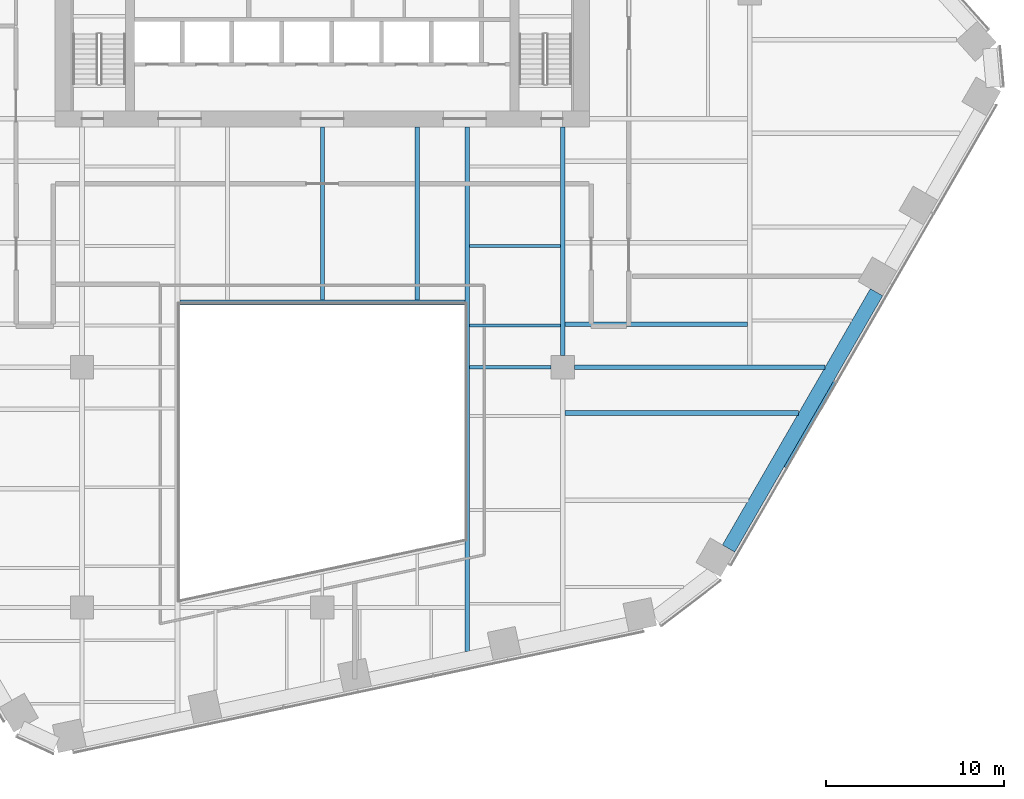
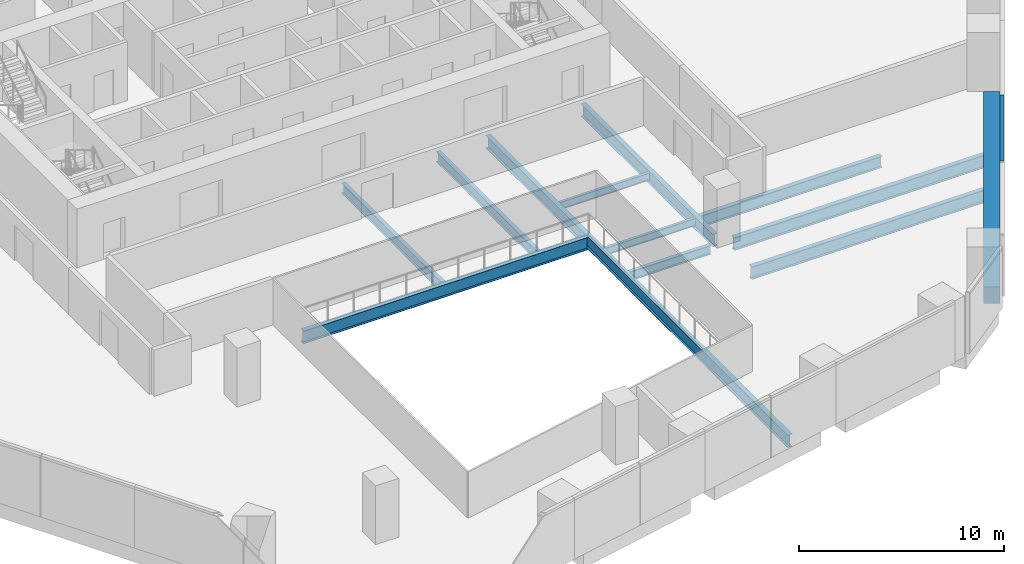
# One storey, part 6 of 19: 12 beams, 1 member, 1 element without a shape of its own.
"""IFC4 building model written with IfcOpenShell, lengths in metres."""

from ifc_helpers import new_model, si_unit, direction, frame, origin, origin_2d, place, context, subcontext, project, spatial, rectangle, i_section, extrude, material, layer, layer_set, material_profile, profile_set, type_object, element, aggregate, save


model = new_model("IFC4")

# Units and contexts
model_context = context("Model", 3, precision=1e-05, world=origin(), true_north=direction((0.0, 1.0)))
body_context = subcontext(model_context, "Body", "Model", "MODEL_VIEW")
ifc_project = project(units=[si_unit("LENGTHUNIT", "METRE"), si_unit("AREAUNIT", "SQUARE_METRE"), si_unit("VOLUMEUNIT", "CUBIC_METRE"), si_unit("PLANEANGLEUNIT", "RADIAN"), si_unit("MASSUNIT", "GRAM", prefix="KILO")], contexts=[model_context])

# Site, building, storey
site_placement = place(None, origin())
site = spatial("IfcSite", under=ifc_project, at=site_placement, CompositionType="ELEMENT")
building_placement = place(site_placement, origin())
building = spatial("IfcBuilding", under=site, at=building_placement, Name="Isthmus Gate Tower", CompositionType="ELEMENT")
storey_placement = place(building_placement, frame((0.0, 0.0, 91.60009765625)))
storey = spatial("IfcBuildingStorey", under=building, at=storey_placement, Name="L21", CompositionType="ELEMENT", Elevation=91.60009765625)

# Curtain wall, member
ifc_material_1 = material(Name="Aluminium, pale champagne anodised", Category="aluminium")
ifc_layer = layer(ifc_material_1, 0.199951171875)
ifc_layer_set = layer_set([ifc_layer], Name="CW-1 UNITISED CURTAIN WALL 200 DEEP")
curtain_wall_type = type_object("IfcCurtainWallType", Name="CW-1 UNITISED CURTAIN WALL 200 DEEP", PredefinedType="NOTDEFINED", material=ifc_layer_set)
curtain_wall_placement = place(storey_placement, origin())
curtain_wall = element("IfcCurtainWall", 1, at=curtain_wall_placement, inside=storey, type_object=curtain_wall_type, Name="CW-1 SE L21", PredefinedType="NOTDEFINED")
ifc_material_2 = material(Name="Aluminium, pale champagne anodised", Category="aluminium")
ifc_material_profile_1 = material_profile(ifc_material_2, rectangle(XDim=0.199951171875, YDim=0.14990234375, at=origin_2d()), Name="200x150")
ifc_profile_set_1 = profile_set([ifc_material_profile_1], Name="Aluminium, pale champagne anodised")
member_type = type_object("IfcMemberType", Name="CW-1 TRANSOM 200 X 150", PredefinedType="USERDEFINED", material=ifc_profile_set_1)
member_placement = place(storey_placement, frame((26.017822265625, -19.135986328125, 3.574951171875), z_axis=(0.499993363642, 0.866029235253, 0.0), x_axis=(-0.866029235253, 0.499993363642, 0.0)))
member = element("IfcMember", 2, at=member_placement, type_object=member_type, Name="CW-1 transom", ObjectType="TRANSOM", PredefinedType="USERDEFINED", context=body_context, shape_type="SweptSolid", body=[
    extrude(rectangle(XDim=0.199951171875, YDim=0.14990234375, at=origin_2d()), origin(), (0.0, 0.0, 1.0), 5.53857421875),
])
aggregate(curtain_wall, [member])

# Beams
ifc_material_3 = material(Name="Concrete f'c 70 MPa", Category="concrete")
ifc_material_profile_2 = material_profile(ifc_material_3, rectangle(XDim=0.800048828125, YDim=1.0, at=origin_2d()), Name="RC 800X1000")
ifc_profile_set_2 = profile_set([ifc_material_profile_2], Name="Concrete f'c 70 MPa")
beam_type_1 = type_object("IfcBeamType", Name="RC SPANDREL 800 X 1000", PredefinedType="SPANDREL", material=ifc_profile_set_2)
beam_1_placement = place(storey_placement, frame((31.123291015625, -9.292724609375, -0.5), z_axis=(-0.499999725976, -0.866025561992, 0.0), x_axis=(0.866025561992, -0.499999725976, 0.0)))
element("IfcBeam", 3, at=beam_1_placement, inside=storey, type_object=beam_type_1, Name="str-spandrel-L21-08", PredefinedType="SPANDREL", context=body_context, shape_type="SweptSolid", body=[
    extrude(rectangle(XDim=0.800048828125, YDim=1.0, at=origin_2d()), origin(), (0.0, 0.0, 1.0), 16.61572265625),
])
ifc_material_4 = material(Name="Structural steel ASTM A992 Gr 50", Category="steel")
ifc_material_profile_3 = material_profile(ifc_material_4, i_section(OverallWidth=0.15234375, OverallDepth=0.45068359375, WebThickness=0.0078125, FlangeThickness=0.010986328125, at=origin_2d()), Name="W18X35")
ifc_profile_set_3 = profile_set([ifc_material_profile_3], Name="Structural steel ASTM A992 Gr 50")
beam_type_2 = type_object("IfcBeamType", Name="STEEL FLOOR BEAM W18X35", PredefinedType="JOIST", material=ifc_profile_set_3)
for number, where, z_axis, x_axis, name in (
    (4, (8.263427734375, -11.16259765625, -0.37548828125), (1.0, 0.0, 0.0), (0.0, 1.0, 0.0), "str-beam-L21-24-00"),
    (5, (8.263427734375, -6.697509765625, -0.37548828125), (1.0, 0.0, 0.0), (0.0, 1.0, 0.0), "str-beam-L21-24-01"),
):
    element("IfcBeam", number, at=place(storey_placement, frame(where, z_axis=z_axis, x_axis=x_axis)), inside=storey, type_object=beam_type_2, Name=name, PredefinedType="JOIST", context=body_context, shape_type="SweptSolid", body=[
        extrude(i_section(OverallWidth=0.15234375, OverallDepth=0.45068359375, WebThickness=0.0078125, FlangeThickness=0.010986328125, at=origin_2d()), origin(), (0.0, 0.0, 1.0), 5.104736328125),
    ])
ifc_material_5 = material(Name="Structural steel ASTM A992 Gr 50", Category="steel")
ifc_material_profile_4 = material_profile(ifc_material_5, i_section(OverallWidth=0.228515625, OverallDepth=0.603271484375, WebThickness=0.010986328125, FlangeThickness=0.014404296875, at=origin_2d()), Name="W24X68")
ifc_profile_set_4 = profile_set([ifc_material_profile_4], Name="Structural steel ASTM A992 Gr 50")
beam_type_3 = type_object("IfcBeamType", Name="STEEL FLOOR BEAM W24X68", PredefinedType="JOIST", material=ifc_profile_set_4)
for number, where, z_axis, x_axis, name in (
    (6, (0.0, -9.7333984375, -0.45166015625), (0.0, 1.0, 0.0), (-1.0, 0.0, 0.0), "str-beam-L21-17-01"),
    (7, (5.333251953125, -9.7333984375, -0.45166015625), (0.0, 1.0, 0.0), (-1.0, 0.0, 0.0), "str-beam-L21-17-02"),
):
    element("IfcBeam", number, at=place(storey_placement, frame(where, z_axis=z_axis, x_axis=x_axis)), inside=storey, type_object=beam_type_3, Name=name, PredefinedType="JOIST", context=body_context, shape_type="SweptSolid", body=[
        extrude(i_section(OverallWidth=0.228515625, OverallDepth=0.603271484375, WebThickness=0.010986328125, FlangeThickness=0.014404296875, at=origin_2d()), origin(), (0.0, 0.0, 1.0), 9.7333984375),
    ])
ifc_material_6 = material(Name="Structural steel ASTM A992 Gr 50", Category="steel")
ifc_material_profile_5 = material_profile(ifc_material_6, i_section(OverallWidth=0.25390625, OverallDepth=0.679443359375, WebThickness=0.010986328125, FlangeThickness=0.015869140625, at=origin_2d()), Name="W27X84")
ifc_profile_set_5 = profile_set([ifc_material_profile_5], Name="Structural steel ASTM A992 Gr 50")
beam_type_4 = type_object("IfcBeamType", Name="STEEL FLOOR BEAM W27X84", PredefinedType="JOIST", material=ifc_profile_set_5)
beam_2_placement = place(storey_placement, frame((13.6318359375, -11.0830078125, -0.48974609375), z_axis=(1.0, 0.0, 0.0), x_axis=(0.0, 1.0, 0.0)))
element("IfcBeam", 8, at=beam_2_placement, inside=storey, type_object=beam_type_4, Name="str-beam-L21-27-00", PredefinedType="JOIST", context=body_context, shape_type="SweptSolid", body=[
    extrude(i_section(OverallWidth=0.25390625, OverallDepth=0.679443359375, WebThickness=0.010986328125, FlangeThickness=0.015869140625, at=origin_2d()), origin(), (0.0, 0.0, 1.0), 10.23486328125),
])
ifc_material_7 = material(Name="Structural steel ASTM A992 Gr 50", Category="steel")
ifc_material_profile_6 = material_profile(ifc_material_7, i_section(OverallWidth=0.263427734375, OverallDepth=0.749267578125, WebThickness=0.0126953125, FlangeThickness=0.015869140625, at=origin_2d()), Name="W30X90")
ifc_profile_set_6 = profile_set([ifc_material_profile_6], Name="Structural steel ASTM A992 Gr 50")
beam_type_5 = type_object("IfcBeamType", Name="STEEL FLOOR BEAM W30X90", PredefinedType="JOIST", material=ifc_profile_set_6)
beam_3_placement = place(storey_placement, frame((13.63330078125, -16.0751953125, -0.524658203125), z_axis=(1.0, 0.0, 0.0), x_axis=(0.0, 1.0, 0.0)))
element("IfcBeam", 9, at=beam_3_placement, inside=storey, type_object=beam_type_5, Name="str-beam-L21-28-02", PredefinedType="JOIST", context=body_context, shape_type="SweptSolid", body=[
    extrude(i_section(OverallWidth=0.263427734375, OverallDepth=0.749267578125, WebThickness=0.0126953125, FlangeThickness=0.015869140625, at=origin_2d()), origin(), (0.0, 0.0, 1.0), 13.1123046875),
])
ifc_material_8 = material(Name="Structural steel ASTM A992 Gr 50", Category="steel")
ifc_material_profile_7 = material_profile(ifc_material_8, i_section(OverallWidth=0.20947265625, OverallDepth=0.533447265625, WebThickness=0.009521484375, FlangeThickness=0.015869140625, at=origin_2d()), Name="W21X62")
ifc_profile_set_7 = profile_set([ifc_material_profile_7], Name="Structural steel ASTM A992 Gr 50")
beam_type_6 = type_object("IfcBeamType", Name="STEEL GIRDER W21X62", PredefinedType="BEAM", material=ifc_profile_set_7)
beam_4_placement = place(storey_placement, frame((8.263427734375, -13.5, -0.416748046875), z_axis=(1.0, 0.0, 0.0), x_axis=(0.0, 1.0, 0.0)))
element("IfcBeam", 10, at=beam_4_placement, inside=storey, type_object=beam_type_6, Name="str-girder-L21-07", PredefinedType="BEAM", context=body_context, shape_type="SweptSolid", body=[
    extrude(i_section(OverallWidth=0.20947265625, OverallDepth=0.533447265625, WebThickness=0.009521484375, FlangeThickness=0.015869140625, at=origin_2d()), origin(), (0.0, 0.0, 1.0), 4.586669921875),
])
ifc_material_9 = material(Name="Structural steel ASTM A992 Gr 50", Category="steel")
ifc_material_profile_8 = material_profile(ifc_material_9, i_section(OverallWidth=0.2666015625, OverallDepth=0.7587890625, WebThickness=0.014404296875, FlangeThickness=0.01904296875, at=origin_2d()), Name="W30X108")
ifc_profile_set_8 = profile_set([ifc_material_profile_8], Name="Structural steel ASTM A992 Gr 50")
beam_type_7 = type_object("IfcBeamType", Name="STEEL GIRDER W30X108", PredefinedType="BEAM", material=ifc_profile_set_8)
beam_5_placement = place(storey_placement, frame((14.14990234375, -13.5, -0.529541015625), z_axis=(1.0, 0.0, 0.0), x_axis=(0.0, 1.0, 0.0)))
element("IfcBeam", 11, at=beam_5_placement, inside=storey, type_object=beam_type_7, Name="str-girder-L21-08", PredefinedType="BEAM", context=body_context, shape_type="SweptSolid", body=[
    extrude(i_section(OverallWidth=0.2666015625, OverallDepth=0.7587890625, WebThickness=0.014404296875, FlangeThickness=0.01904296875, at=origin_2d()), origin(), (0.0, 0.0, 1.0), 14.08251953125),
])
ifc_material_10 = material(Name="Structural steel ASTM A992 Gr 50", Category="steel")
ifc_material_profile_9 = material_profile(ifc_material_10, i_section(OverallWidth=0.263427734375, OverallDepth=0.749267578125, WebThickness=0.0126953125, FlangeThickness=0.015869140625, at=origin_2d()), Name="W30X90")
ifc_profile_set_9 = profile_set([ifc_material_profile_9], Name="Structural steel ASTM A992 Gr 50")
beam_type_8 = type_object("IfcBeamType", Name="STEEL GIRDER W30X90", PredefinedType="BEAM", material=ifc_profile_set_9)
beam_6_placement = place(storey_placement, frame((13.5, -12.85009765625, -0.524658203125), z_axis=(0.0, 1.0, 0.0), x_axis=(-1.0, 0.0, 0.0)))
element("IfcBeam", 12, at=beam_6_placement, inside=storey, type_object=beam_type_8, Name="str-girder-L21-33", PredefinedType="BEAM", context=body_context, shape_type="SweptSolid", body=[
    extrude(i_section(OverallWidth=0.263427734375, OverallDepth=0.749267578125, WebThickness=0.0126953125, FlangeThickness=0.015869140625, at=origin_2d()), origin(), (0.0, 0.0, 1.0), 12.85009765625),
])
ifc_material_11 = material(Name="Structural steel ASTM A992 Gr 50", Category="steel")
ifc_material_profile_10 = material_profile(ifc_material_11, i_section(OverallWidth=0.2666015625, OverallDepth=0.7587890625, WebThickness=0.014404296875, FlangeThickness=0.01904296875, at=origin_2d()), Name="W30X108")
ifc_profile_set_10 = profile_set([ifc_material_profile_10], Name="Structural steel ASTM A992 Gr 50")
beam_type_9 = type_object("IfcBeamType", Name="STEEL TRIMMER W30X108", PredefinedType="BEAM", material=ifc_profile_set_10)
beam_7_placement = place(storey_placement, frame((8.0, -9.86669921875, -0.529541015625), z_axis=(-1.0, 0.0, 0.0), x_axis=(0.0, -1.0, 0.0)))
element("IfcBeam", 13, at=beam_7_placement, inside=storey, type_object=beam_type_9, Name="str-trimmer-L21-04", PredefinedType="BEAM", context=body_context, shape_type="SweptSolid", body=[
    extrude(i_section(OverallWidth=0.2666015625, OverallDepth=0.7587890625, WebThickness=0.014404296875, FlangeThickness=0.01904296875, at=origin_2d()), origin(), (0.0, 0.0, 1.0), 16.0),
])
ifc_material_12 = material(Name="Structural steel ASTM A992 Gr 50", Category="steel")
ifc_material_profile_11 = material_profile(ifc_material_12, i_section(OverallWidth=0.263427734375, OverallDepth=0.749267578125, WebThickness=0.0126953125, FlangeThickness=0.015869140625, at=origin_2d()), Name="W30X90")
ifc_profile_set_11 = profile_set([ifc_material_profile_11], Name="Structural steel ASTM A992 Gr 50")
beam_type_10 = type_object("IfcBeamType", Name="STEEL TRIMMER W30X90", PredefinedType="BEAM", material=ifc_profile_set_11)
beam_8_placement = place(storey_placement, frame((8.1318359375, -29.45361328125, -0.524658203125), z_axis=(0.0, 1.0, 0.0), x_axis=(-1.0, 0.0, 0.0)))
element("IfcBeam", 14, at=beam_8_placement, inside=storey, type_object=beam_type_10, Name="str-trimmer-L21-01", PredefinedType="BEAM", context=body_context, shape_type="SweptSolid", body=[
    extrude(i_section(OverallWidth=0.263427734375, OverallDepth=0.749267578125, WebThickness=0.0126953125, FlangeThickness=0.015869140625, at=origin_2d()), origin(), (0.0, 0.0, 1.0), 29.45361328125),
])

save(model, "model.ifc")
